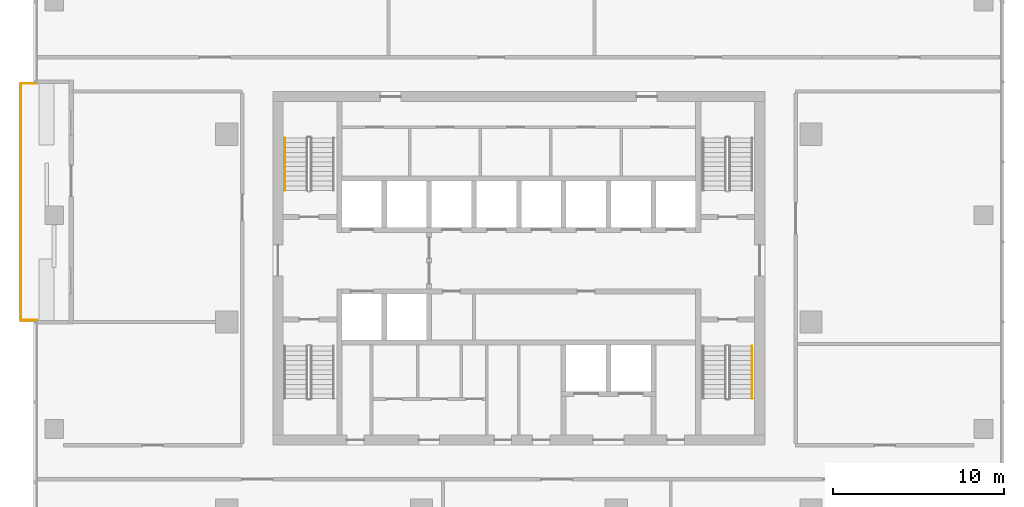
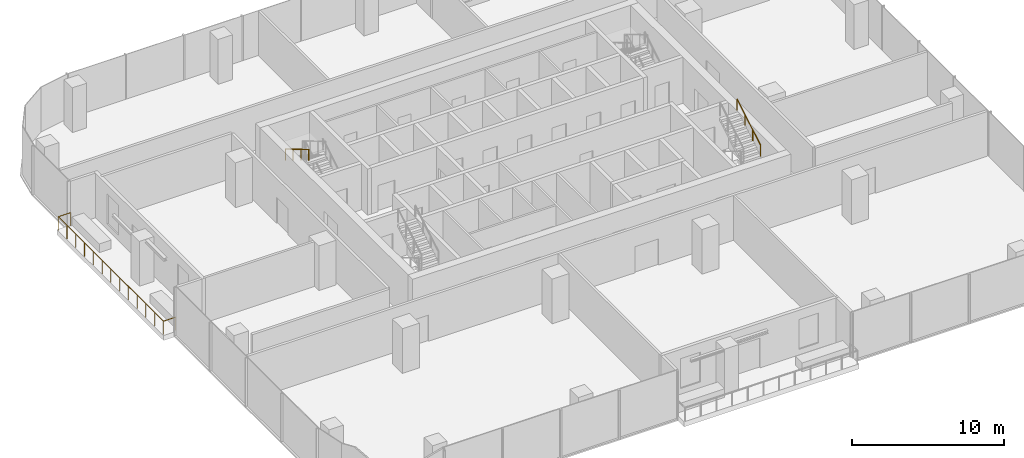
# One storey, part 12 of 14: 3 railings.
"""IFC4 building model written with IfcOpenShell, lengths in metres."""

import ifcopenshell
import ifcopenshell.guid

model = None  # the IFC model being written
_history = None  # IfcOwnerHistory: only IFC2X3 demands one
_inside = {}  # id of a spatial element -> (the spatial element, [elements in it])
_under = {}  # id of a project, library or spatial element -> (it, [spatial elements below it])
_declared = {}  # id of a project -> (the project, [libraries it declares])
_typed = {}  # id of a type object -> (the type object, [elements of that type])
_made_of = {}  # id of a material, layer set ... -> (it, [elements and type objects made of it])


def new_model(schema):
    """Start an empty IFC model of exactly this schema.

    Asked for "IFC4X3", IfcOpenShell would pick the latest addendum, in which some entities
    have other attributes; the version numbers below select the first issue.
    IFC2X3 requires an IfcOwnerHistory on every rooted entity: one is made here for all.
    """
    global model, _history
    if schema == "IFC4X3":
        model = ifcopenshell.file(schema_version=(4, 3, 0, 0))
    else:
        model = ifcopenshell.file(schema=schema)
    _inside.clear()
    _under.clear()
    _declared.clear()
    _typed.clear()
    _made_of.clear()
    _history = None
    if model.schema == "IFC2X3":
        org = make("IfcOrganization", Name="unknown")
        user = make(
            "IfcPersonAndOrganization",
            ThePerson=make("IfcPerson", FamilyName="unknown"),
            TheOrganization=org,
        )
        app = make(
            "IfcApplication",
            ApplicationDeveloper=org,
            Version="unknown",
            ApplicationFullName="unknown",
            ApplicationIdentifier="unknown",
        )
        _history = make(
            "IfcOwnerHistory",
            OwningUser=user,
            OwningApplication=app,
            ChangeAction="ADDED",
            CreationDate=0,
        )
    return model


def make(cls, **values):
    """One entity of the class cls with the attributes given. An attribute that is None is left unset."""
    return model.create_entity(
        cls, **{name: value for name, value in values.items() if value is not None}
    )


def rooted(cls, **values):
    """An entity with a GlobalId (a new one), such as an element, a storey or a relation."""
    return make(cls, GlobalId=ifcopenshell.guid.new(), OwnerHistory=_history, **values)


def si_unit(unit_type, name, prefix=None):
    """IfcSIUnit, for example si_unit("LENGTHUNIT", "METRE", prefix="MILLI")."""
    return make("IfcSIUnit", UnitType=unit_type, Prefix=prefix, Name=name)


def assignment(units):
    """IfcUnitAssignment: the units of a project."""
    return None if units is None else make("IfcUnitAssignment", Units=units)


def point(xyz):
    """IfcCartesianPoint."""
    return None if xyz is None else make("IfcCartesianPoint", Coordinates=xyz)


def direction(xyz):
    """IfcDirection."""
    return None if xyz is None else make("IfcDirection", DirectionRatios=xyz)


def frame(location, z_axis=None, x_axis=None):
    """IfcAxis2Placement3D, a coordinate frame: its origin and axes. An axis left out is left unset."""
    return make(
        "IfcAxis2Placement3D",
        Location=point(location),
        Axis=direction(z_axis),
        RefDirection=direction(x_axis),
    )


def frame_2d(location, x_axis=None):
    """IfcAxis2Placement2D, a coordinate frame in the plane: its origin and x axis."""
    return make(
        "IfcAxis2Placement2D", Location=point(location), RefDirection=direction(x_axis)
    )


def origin():
    """The frame at (0, 0, 0) with its axes left unset."""
    return frame((0.0, 0.0, 0.0))


def origin_2d():
    """The frame at (0, 0) in the plane with its x axis left unset."""
    return frame_2d((0.0, 0.0))


def place(relative_to, where):
    """IfcLocalPlacement: puts the frame where relative to a parent placement (None: the world)."""
    return make(
        "IfcLocalPlacement", PlacementRelTo=relative_to, RelativePlacement=where
    )


def context(
    kind, dimensions, precision=None, world=None, true_north=None, identifier=None
):
    """IfcGeometricRepresentationContext, for example the 3D "Model" context."""
    return make(
        "IfcGeometricRepresentationContext",
        ContextIdentifier=identifier,
        ContextType=kind,
        CoordinateSpaceDimension=dimensions,
        Precision=precision,
        WorldCoordinateSystem=world,
        TrueNorth=true_north,
    )


def subcontext(parent, identifier, kind, view, scale=None):
    """IfcGeometricRepresentationSubContext, for example "Body" below "Model"."""
    return make(
        "IfcGeometricRepresentationSubContext",
        ContextIdentifier=identifier,
        ContextType=kind,
        ParentContext=parent,
        TargetScale=scale,
        TargetView=view,
    )


def project(units=None, contexts=None):
    """IfcProject with its units and contexts."""
    return rooted(
        "IfcProject",
        Name="project",
        RepresentationContexts=contexts,
        UnitsInContext=assignment(units),
    )


def spatial(cls, under=None, at=None, **own):
    """A site, building, storey or space (cls), placed at a placement, below another one or the project."""
    s = rooted(cls, ObjectPlacement=at, **own)
    if under is not None:
        _under.setdefault(under.id(), (under, []))[1].append(s)
    return s


def profile(cls, at=None, kind="AREA", **sizes):
    """A parametric profile (cls). Its sizes go by their IFC names, for example OverallWidth=200.0."""
    return make(cls, ProfileType=kind, Position=at, **sizes)


def circle(**sizes):
    """IfcCircleProfileDef."""
    return profile("IfcCircleProfileDef", **sizes)


def extrude(swept, where, along, depth):
    """IfcExtrudedAreaSolid: the profile swept, set in the frame where, extruded along a direction by depth."""
    return make(
        "IfcExtrudedAreaSolid",
        SweptArea=swept,
        Position=where,
        ExtrudedDirection=direction(along),
        Depth=depth,
    )


def shape(context_of_items, identifier, shape_type, items):
    """IfcShapeRepresentation: the items that make up one representation, for example the "Body"."""
    return make(
        "IfcShapeRepresentation",
        ContextOfItems=context_of_items,
        RepresentationIdentifier=identifier,
        RepresentationType=shape_type,
        Items=items,
    )


def material(Name=None, Category=None):
    """IfcMaterial."""
    return make("IfcMaterial", Name=Name, Category=Category)


def made_of(thing, what):
    """Note that an element or type object is made of a material, layer set ...; save() writes the relation."""
    if what is not None:
        _made_of.setdefault(what.id(), (what, []))[1].append(thing)
    return thing


def type_object(cls, material=None, **own):
    """A type object (cls), such as IfcWallType, which elements share."""
    return made_of(rooted(cls, **own), material)


def element(
    cls,
    number,
    at=None,
    inside=None,
    cuts=None,
    type_object=None,
    material=None,
    context=None,
    identifier="Body",
    shape_type=None,
    held_by="IfcProductDefinitionShape",
    body=None,
    shapes=None,
    **own,
):
    """One element of the class cls, such as IfcWall. Its Tag is "e" and its number.

    at: its placement. inside: the storey or other place that contains it. cuts: it is an
    opening in that element (IfcRelVoidsElement). A single representation is given by context,
    identifier, shape_type and body (its items); several are given by shapes. held_by: the class
    of the entity that holds the representations. save() writes the other relations.
    """
    e = rooted(cls, Tag="e%d" % number, ObjectPlacement=at, **own)
    if body is not None:
        shapes = [shape(context, identifier, shape_type, body)]
    if shapes is not None:
        e.Representation = make(held_by, Representations=shapes)
    if inside is not None:
        _inside.setdefault(inside.id(), (inside, []))[1].append(e)
    if cuts is not None:
        rooted(
            "IfcRelVoidsElement", RelatingBuildingElement=cuts, RelatedOpeningElement=e
        )
    if type_object is not None:
        _typed.setdefault(type_object.id(), (type_object, []))[1].append(e)
    return made_of(e, material)


def aggregate(whole, parts):
    """IfcRelAggregates: a whole, such as a stair, and the parts it consists of."""
    return rooted("IfcRelAggregates", RelatingObject=whole, RelatedObjects=parts)


def save(model, path):
    """Write the relations noted so far, then the file.

    IfcRelAggregates (storeys below a building ...), IfcRelContainedInSpatialStructure (elements
    in a storey), IfcRelDefinesByType, IfcRelAssociatesMaterial and IfcRelDeclares: one each for
    every whole, place, type object, material and project.
    """
    for whole, parts in _under.values():
        aggregate(whole, parts)
    for where, things in _inside.values():
        rooted(
            "IfcRelContainedInSpatialStructure",
            RelatedElements=things,
            RelatingStructure=where,
        )
    for kind, things in _typed.values():
        rooted("IfcRelDefinesByType", RelatedObjects=things, RelatingType=kind)
    for what, things in _made_of.values():
        rooted("IfcRelAssociatesMaterial", RelatedObjects=things, RelatingMaterial=what)
    for by, libraries in _declared.values():
        rooted("IfcRelDeclares", RelatingContext=by, RelatedDefinitions=libraries)
    model.write(path)


model = new_model("IFC4")

# Units and contexts
model_context = context("Model", 3, precision=1e-05, world=origin(), true_north=direction((0.0, 1.0)))
body_context = subcontext(model_context, "Body", "Model", "MODEL_VIEW")
ifc_project = project(units=[si_unit("LENGTHUNIT", "METRE"), si_unit("AREAUNIT", "SQUARE_METRE"), si_unit("VOLUMEUNIT", "CUBIC_METRE"), si_unit("PLANEANGLEUNIT", "RADIAN"), si_unit("MASSUNIT", "GRAM", prefix="KILO")], contexts=[model_context])

# Site, building, storey
site_placement = place(None, origin())
site = spatial("IfcSite", under=ifc_project, at=site_placement, CompositionType="ELEMENT")
building_placement = place(site_placement, origin())
building = spatial("IfcBuilding", under=site, at=building_placement, Name="Mopane Tessera Tower", CompositionType="ELEMENT")
storey_placement = place(building_placement, frame((0.0, 0.0, 243.0)))
storey = spatial("IfcBuildingStorey", under=building, at=storey_placement, Name="L52", CompositionType="ELEMENT", Elevation=243.0)

# Railings
ifc_material_1 = material(Name="Powder-coated steel balustrade", Category="steel")
railing_type_1 = type_object("IfcRailingType", Name="Escape stair handrail 900 mm", PredefinedType="HANDRAIL", material=ifc_material_1)
railing_1_placement = place(storey_placement, frame((-13.699951171875, 10.780029296875, 2.166748046875)))
element("IfcRailing", 1, at=railing_1_placement, inside=storey, type_object=railing_type_1, Name="L52 ST2 stair handrail 2", PredefinedType="HANDRAIL", context=body_context, shape_type="SweptSolid", body=[
    extrude(circle(Radius=0.02392578125, at=origin_2d()), frame((0.0, 0.0, 0.8759765625), z_axis=(0.0, -0.859308565015, 0.511457515432), x_axis=(1.0, 0.0, 0.0)), (0.0, 0.0, 1.0), 3.58447265625),
    extrude(circle(Radius=0.02099609375, at=origin_2d()), origin(), (0.0, 0.0, 1.0), 0.851806640625),
    extrude(circle(Radius=0.02099609375, at=origin_2d()), frame((0.0, -1.026611328125, 0.611083984375)), (0.0, 0.0, 1.0), 0.851806640625),
    extrude(circle(Radius=0.02099609375, at=origin_2d()), frame((0.0, -2.053466796875, 1.22216796875)), (0.0, 0.0, 1.0), 0.851806640625),
    extrude(circle(Radius=0.02099609375, at=origin_2d()), frame((0.0, -3.080078125, 1.833251953125)), (0.0, 0.0, 1.0), 0.851806640625),
])
railing_2_placement = place(storey_placement, frame((13.64990234375, -4.47998046875, 2.166748046875)))
element("IfcRailing", 2, at=railing_2_placement, inside=storey, type_object=railing_type_1, Name="L52 ST3 stair handrail 2", PredefinedType="HANDRAIL", context=body_context, shape_type="SweptSolid", body=[
    extrude(circle(Radius=0.02392578125, at=origin_2d()), frame((0.0, 0.0, 0.8759765625), z_axis=(0.0, 0.859308565015, 0.511457515432), x_axis=(-1.0, 0.0, 0.0)), (0.0, 0.0, 1.0), 3.58447265625),
    extrude(circle(Radius=0.02099609375, at=origin_2d()), origin(), (0.0, 0.0, 1.0), 0.851806640625),
    extrude(circle(Radius=0.02099609375, at=origin_2d()), frame((0.0, 1.026611328125, 0.611083984375)), (0.0, 0.0, 1.0), 0.851806640625),
    extrude(circle(Radius=0.02099609375, at=origin_2d()), frame((0.0, 2.053466796875, 1.22216796875)), (0.0, 0.0, 1.0), 0.851806640625),
    extrude(circle(Radius=0.02099609375, at=origin_2d()), frame((0.0, 3.080078125, 1.833251953125)), (0.0, 0.0, 1.0), 0.851806640625),
])
ifc_material_2 = material(Name="Stainless steel S316", Category="steel")
railing_type_2 = type_object("IfcRailingType", Name="Terrace guard 1100", PredefinedType="GUARDRAIL", material=ifc_material_2)
railing_3_placement = place(storey_placement, frame((-28.199951171875, 13.96240234375, 0.0)))
element("IfcRailing", 3, at=railing_3_placement, inside=storey, type_object=railing_type_2, Name="e:nw:L52:N3:guard", PredefinedType="GUARDRAIL", context=body_context, shape_type="SweptSolid", body=[
    extrude(circle(Radius=0.02392578125, at=origin_2d()), frame((0.0, 0.0, 1.076171875), z_axis=(-1.0, 0.0, 0.0), x_axis=(0.0, -1.0, 0.0)), (0.0, 0.0, 1.0), 0.949951171875),
    extrude(circle(Radius=0.02392578125, at=origin_2d()), frame((-0.949951171875, 0.0, 1.076171875), z_axis=(0.0, -1.0, 0.0), x_axis=(1.0, 0.0, 0.0)), (0.0, 0.0, 1.0), 13.8623046875),
    extrude(circle(Radius=0.02392578125, at=origin_2d()), frame((-0.949951171875, -13.8623046875, 1.076171875), z_axis=(1.0, 0.0, 0.0), x_axis=(0.0, 1.0, 0.0)), (0.0, 0.0, 1.0), 0.949951171875),
    extrude(circle(Radius=0.02099609375, at=origin_2d()), origin(), (0.0, 0.0, 1.0), 1.052001953125),
    extrude(circle(Radius=0.02099609375, at=origin_2d()), frame((-0.949951171875, 0.0, 0.0)), (0.0, 0.0, 1.0), 1.052001953125),
    extrude(circle(Radius=0.02099609375, at=origin_2d()), frame((-0.949951171875, -1.1552734375, 0.0)), (0.0, 0.0, 1.0), 1.052001953125),
    extrude(circle(Radius=0.02099609375, at=origin_2d()), frame((-0.949951171875, -2.310302734375, 0.0)), (0.0, 0.0, 1.0), 1.052001953125),
    extrude(circle(Radius=0.02099609375, at=origin_2d()), frame((-0.949951171875, -3.465576171875, 0.0)), (0.0, 0.0, 1.0), 1.052001953125),
    extrude(circle(Radius=0.02099609375, at=origin_2d()), frame((-0.949951171875, -4.620849609375, 0.0)), (0.0, 0.0, 1.0), 1.052001953125),
    extrude(circle(Radius=0.02099609375, at=origin_2d()), frame((-0.949951171875, -5.77587890625, 0.0)), (0.0, 0.0, 1.0), 1.052001953125),
    extrude(circle(Radius=0.02099609375, at=origin_2d()), frame((-0.949951171875, -6.93115234375, 0.0)), (0.0, 0.0, 1.0), 1.052001953125),
    extrude(circle(Radius=0.02099609375, at=origin_2d()), frame((-0.949951171875, -8.08642578125, 0.0)), (0.0, 0.0, 1.0), 1.052001953125),
    extrude(circle(Radius=0.02099609375, at=origin_2d()), frame((-0.949951171875, -9.241455078125, 0.0)), (0.0, 0.0, 1.0), 1.052001953125),
    extrude(circle(Radius=0.02099609375, at=origin_2d()), frame((-0.949951171875, -10.396728515625, 0.0)), (0.0, 0.0, 1.0), 1.052001953125),
    extrude(circle(Radius=0.02099609375, at=origin_2d()), frame((-0.949951171875, -11.552001953125, 0.0)), (0.0, 0.0, 1.0), 1.052001953125),
    extrude(circle(Radius=0.02099609375, at=origin_2d()), frame((-0.949951171875, -12.70703125, 0.0)), (0.0, 0.0, 1.0), 1.052001953125),
    extrude(circle(Radius=0.02099609375, at=origin_2d()), frame((-0.949951171875, -13.8623046875, 0.0)), (0.0, 0.0, 1.0), 1.052001953125),
    extrude(circle(Radius=0.02099609375, at=origin_2d()), frame((0.0, -13.8623046875, 0.0)), (0.0, 0.0, 1.0), 1.052001953125),
])

save(model, "model.ifc")
